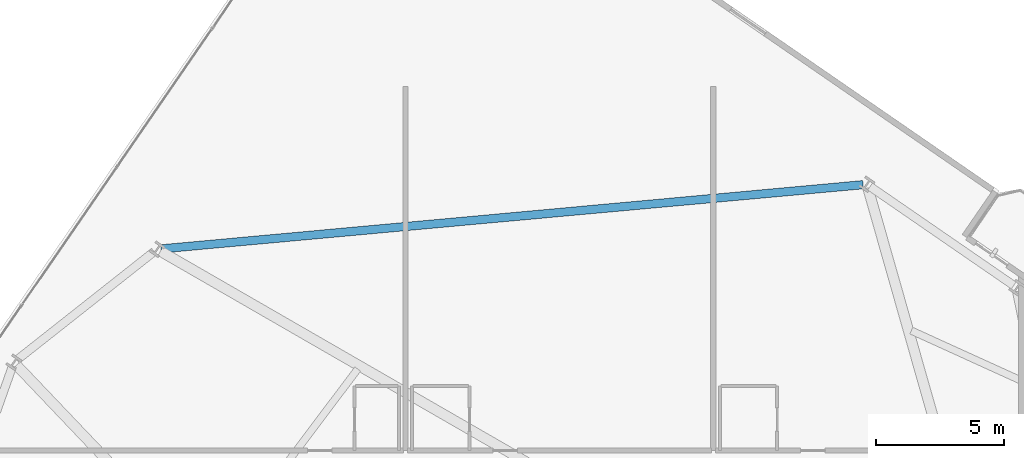
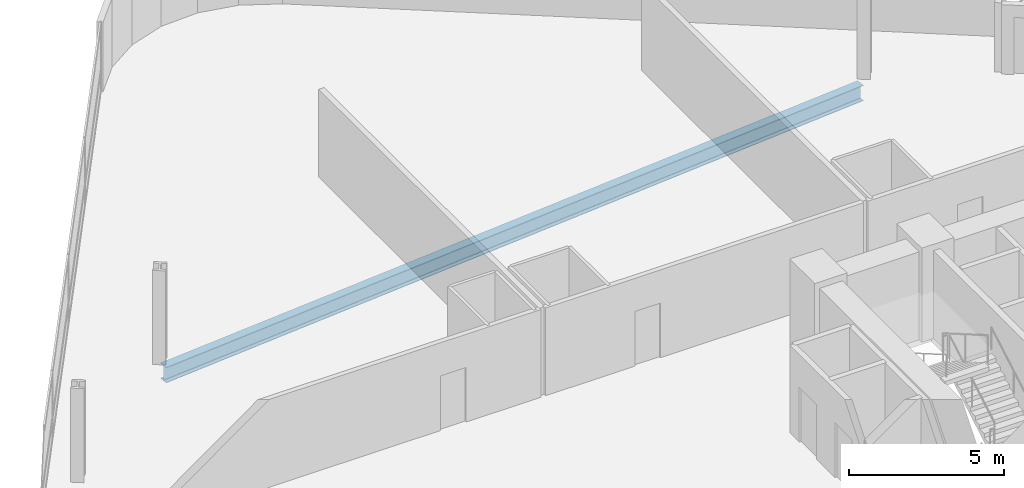
# One storey, part 14 of 25: 1 beam.
"""IFC4 building model written with IfcOpenShell, lengths in metres."""

from ifc_helpers import new_model, si_unit, direction, frame, origin, origin_2d, place, context, subcontext, project, spatial, i_section, extrude, material, material_profile, profile_set, type_object, element, save


model = new_model("IFC4")

# Units and contexts
model_context = context("Model", 3, precision=1e-05, world=origin(), true_north=direction((0.0, 1.0)))
body_context = subcontext(model_context, "Body", "Model", "MODEL_VIEW")
ifc_project = project(units=[si_unit("LENGTHUNIT", "METRE"), si_unit("AREAUNIT", "SQUARE_METRE"), si_unit("VOLUMEUNIT", "CUBIC_METRE"), si_unit("PLANEANGLEUNIT", "RADIAN"), si_unit("MASSUNIT", "GRAM", prefix="KILO")], contexts=[model_context])

# Site, building, storey
site_placement = place(None, origin())
site = spatial("IfcSite", under=ifc_project, at=site_placement, CompositionType="ELEMENT")
building_placement = place(site_placement, origin())
building = spatial("IfcBuilding", under=site, at=building_placement, Name="Varnelok Gate Tower", CompositionType="ELEMENT")
storey_placement = place(building_placement, frame((0.0, 0.0, 52.89990234375)))
storey = spatial("IfcBuildingStorey", under=building, at=storey_placement, Name="L12", CompositionType="ELEMENT", Elevation=52.89990234375)

# Beam
ifc_material = material(Name="Structural Steel ASTM A992 Grade 50", Category="steel")
ifc_material_profile = material_profile(ifc_material, i_section(OverallWidth=0.323974609375, OverallDepth=0.611083984375, WebThickness=0.0126953125, FlangeThickness=0.01904296875, FilletRadius=0.01806640625, at=origin_2d()), Name="W24X104")
ifc_profile_set = profile_set([ifc_material_profile], Name="Structural Steel ASTM A992 Grade 50")
beam_type = type_object("IfcBeamType", Name="BM-SPN-W24X104", PredefinedType="SPANDREL", material=ifc_profile_set)
beam_placement = place(storey_placement, frame((39.8359375, 52.163818359375, -0.555419921875), z_axis=(-0.995845891963, -0.091054705864, 0.0), x_axis=(0.091054705864, -0.995845891963, 0.0)))
element("IfcBeam", 1, at=beam_placement, inside=storey, type_object=beam_type, Name="L12 Perimeter Spandrel Beam 13", PredefinedType="SPANDREL", context=body_context, shape_type="SweptSolid", body=[
    extrude(i_section(OverallWidth=0.323974609375, OverallDepth=0.611083984375, WebThickness=0.0126953125, FlangeThickness=0.01904296875, FilletRadius=0.01806640625, at=origin_2d()), origin(), (0.0, 0.0, 1.0), 27.485595703125),
])

save(model, "model.ifc")
